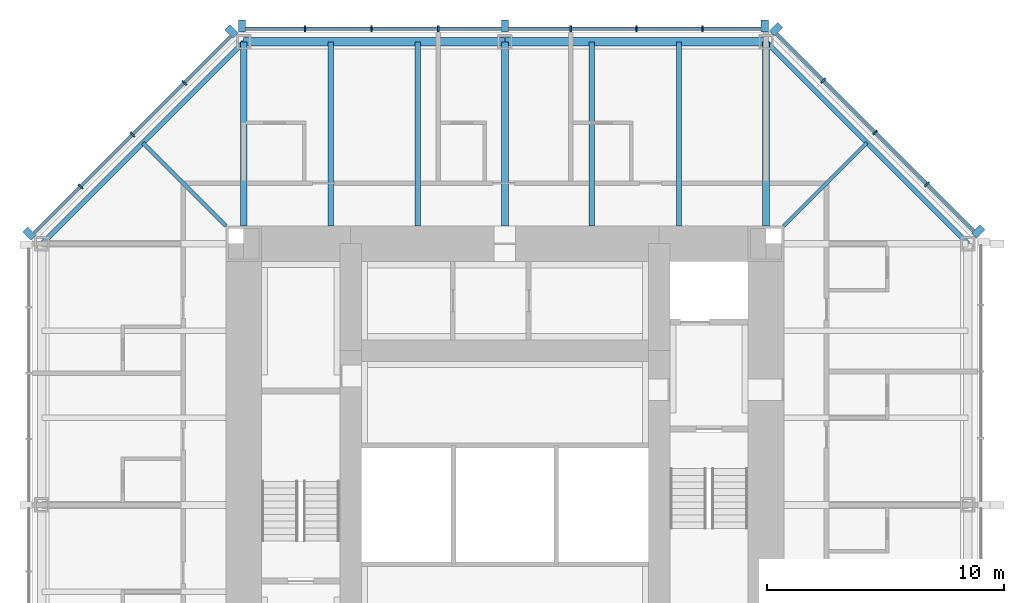
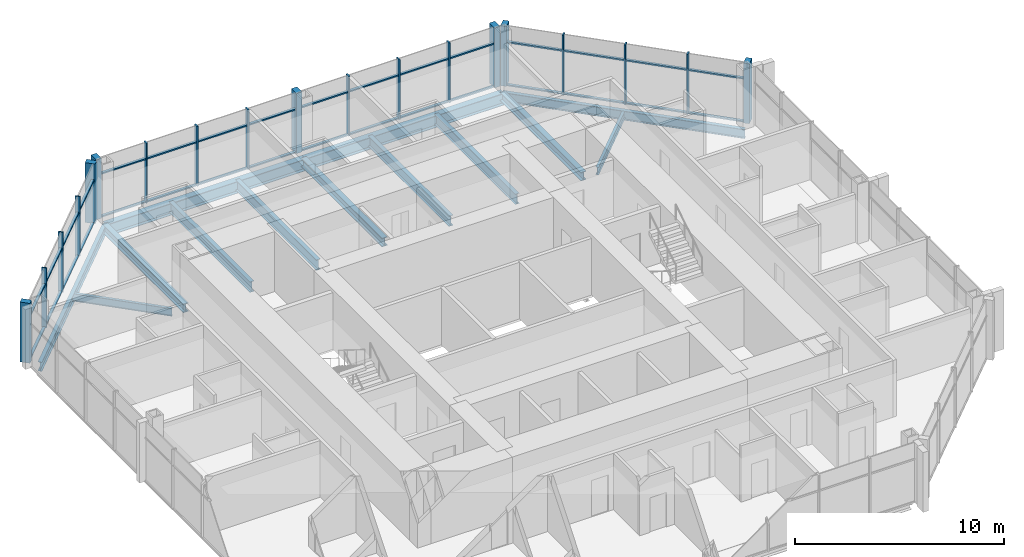
# One storey, part 5 of 12: 51 members, 13 beams, 3 elements without a shape of their own.
"""IFC4 building model written with IfcOpenShell, lengths in metres."""

from ifc_helpers import new_model, si_unit, direction, frame, origin, origin_2d, place, context, subcontext, project, spatial, rectangle, i_section, extrude, material, material_profile, profile_set, type_object, element, aggregate, save


model = new_model("IFC4")

# Units and contexts
model_context = context("Model", 3, precision=1e-05, world=origin(), true_north=direction((0.0, 1.0)))
body_context = subcontext(model_context, "Body", "Model", "MODEL_VIEW")
ifc_project = project(units=[si_unit("LENGTHUNIT", "METRE"), si_unit("AREAUNIT", "SQUARE_METRE"), si_unit("VOLUMEUNIT", "CUBIC_METRE"), si_unit("PLANEANGLEUNIT", "RADIAN"), si_unit("MASSUNIT", "GRAM", prefix="KILO")], contexts=[model_context])

# Site, building, storey
site_placement = place(None, origin())
site = spatial("IfcSite", under=ifc_project, at=site_placement, CompositionType="ELEMENT")
building_placement = place(site_placement, origin())
building = spatial("IfcBuilding", under=site, at=building_placement, Name="Trevanion Tower", CompositionType="ELEMENT")
storey_placement = place(building_placement, frame((0.0, 0.0, 204.699951171875)))
storey = spatial("IfcBuildingStorey", under=building, at=storey_placement, Name="L48", CompositionType="ELEMENT", Elevation=204.699951171875)

# Beams
ifc_material_1 = material(Name="Steel ASTM A992 Grade 50", Category="steel")
ifc_material_profile_1 = material_profile(ifc_material_1, i_section(OverallWidth=0.228271484375, OverallDepth=0.607177734375, WebThickness=0.01123046875, FlangeThickness=0.017333984375, at=origin_2d()), Name="W24X76")
ifc_profile_set_1 = profile_set([ifc_material_profile_1], Name="Steel ASTM A992 Grade 50")
beam_type_1 = type_object("IfcBeamType", Name="B11 W24X76", PredefinedType="BEAM", material=ifc_profile_set_1)
for number, where, z_axis, x_axis, name in (
    (1, (7.333251953125, 11.75, -0.493408203125), (0.0, 1.0, 0.0), (-1.0, 0.0, 0.0), "B11 L48"),
    (2, (3.666748046875, 11.75, -0.493408203125), (0.0, 1.0, 0.0), (-1.0, 0.0, 0.0), "B11 L48"),
    (3, (-3.666748046875, 11.75, -0.493408203125), (0.0, 1.0, 0.0), (-1.0, 0.0, 0.0), "B11 L48"),
    (4, (-7.333251953125, 11.75, -0.493408203125), (0.0, 1.0, 0.0), (-1.0, 0.0, 0.0), "B11 L48"),
):
    element("IfcBeam", number, at=place(storey_placement, frame(where, z_axis=z_axis, x_axis=x_axis)), inside=storey, type_object=beam_type_1, Name=name, PredefinedType="BEAM", context=body_context, shape_type="SweptSolid", body=[
        extrude(i_section(OverallWidth=0.228271484375, OverallDepth=0.607177734375, WebThickness=0.01123046875, FlangeThickness=0.017333984375, at=origin_2d()), origin(), (0.0, 0.0, 1.0), 7.75),
    ])
ifc_material_2 = material(Name="Steel ASTM A992 Grade 50", Category="steel")
ifc_material_profile_2 = material_profile(ifc_material_2, i_section(OverallWidth=0.15234375, OverallDepth=0.449462890625, WebThickness=0.007568359375, FlangeThickness=0.0107421875, at=origin_2d()), Name="W18X35")
ifc_profile_set_2 = profile_set([ifc_material_profile_2], Name="Steel ASTM A992 Grade 50")
beam_type_2 = type_object("IfcBeamType", Name="B12 W18X35", PredefinedType="BEAM", material=ifc_profile_set_2)
for number, where, z_axis, x_axis, name in (
    (5, (11.75, 11.75, -0.414794921875), (0.707106781187, 0.707106781187, 0.0), (-0.707106781187, 0.707106781187, 0.0), "B12 L48"),
    (6, (-11.75, 11.75, -0.414794921875), (-0.707106781187, 0.707106781187, 0.0), (-0.707106781187, -0.707106781187, 0.0), "B12 L48"),
):
    element("IfcBeam", number, at=place(storey_placement, frame(where, z_axis=z_axis, x_axis=x_axis)), inside=storey, type_object=beam_type_2, Name=name, PredefinedType="BEAM", context=body_context, shape_type="SweptSolid", body=[
        extrude(i_section(OverallWidth=0.15234375, OverallDepth=0.449462890625, WebThickness=0.007568359375, FlangeThickness=0.0107421875, at=origin_2d()), origin(), (0.0, 0.0, 1.0), 4.94970703125),
    ])

# Curtain wall, members
ifc_material_3 = material(Name="Aluminium and glass", Category="aluminium")
curtain_wall_type = type_object("IfcCurtainWallType", Name="CW3 curtain wall", PredefinedType="USERDEFINED", material=ifc_material_3)
curtain_wall_1_placement = place(storey_placement, origin())
curtain_wall_1 = element("IfcCurtainWall", 7, at=curtain_wall_1_placement, inside=storey, type_object=curtain_wall_type, Name="CW3 L48 1", ObjectType="UNITISED CURTAIN WALL", PredefinedType="USERDEFINED")
ifc_material_4 = material(Name="Aluminium extrusion, anodised bronze", Category="aluminium")
ifc_material_profile_3 = material_profile(ifc_material_4, rectangle(XDim=0.074951171875, YDim=0.25, at=origin_2d()), Name="CW3 mullion")
ifc_profile_set_3 = profile_set([ifc_material_profile_3], Name="Aluminium extrusion, anodised bronze")
member_type_1 = type_object("IfcMemberType", Name="CW3 mullion", PredefinedType="MULLION", material=ifc_profile_set_3)
member_1_placement = place(storey_placement, frame((17.775390625, 13.502197265625, -0.18994140625), z_axis=(0.0, 0.0, 1.0), x_axis=(-0.707106781187, 0.707106781187, 0.0)))
member_1 = element("IfcMember", 8, at=member_1_placement, type_object=member_type_1, Name="CW3 mullion 2", PredefinedType="MULLION", context=body_context, shape_type="SweptSolid", body=[
    extrude(rectangle(XDim=0.074951171875, YDim=0.25, at=origin_2d()), origin(), (0.0, 0.0, 1.0), 3.5),
])
member_2_placement = place(storey_placement, frame((15.593017578125, 15.684814453125, -0.18994140625), z_axis=(0.0, 0.0, 1.0), x_axis=(-0.707106781187, 0.707106781187, 0.0)))
member_2 = element("IfcMember", 9, at=member_2_placement, type_object=member_type_1, Name="CW3 mullion 3", PredefinedType="MULLION", context=body_context, shape_type="SweptSolid", body=[
    extrude(rectangle(XDim=0.074951171875, YDim=0.25, at=origin_2d()), origin(), (0.0, 0.0, 1.0), 3.5),
])
member_3_placement = place(storey_placement, frame((13.410400390625, 17.867431640625, -0.18994140625), z_axis=(0.0, 0.0, 1.0), x_axis=(-0.707106781187, 0.707106781187, 0.0)))
member_3 = element("IfcMember", 10, at=member_3_placement, type_object=member_type_1, Name="CW3 mullion 4", PredefinedType="MULLION", context=body_context, shape_type="SweptSolid", body=[
    extrude(rectangle(XDim=0.074951171875, YDim=0.25, at=origin_2d()), origin(), (0.0, 0.0, 1.0), 3.5),
])

curtain_wall_2_placement = place(storey_placement, origin())
curtain_wall_2 = element("IfcCurtainWall", 11, at=curtain_wall_2_placement, inside=storey, type_object=curtain_wall_type, Name="CW3 L48 2", ObjectType="UNITISED CURTAIN WALL", PredefinedType="USERDEFINED")
member_4_placement = place(storey_placement, frame((8.323486328125, 20.050048828125, -0.18994140625), z_axis=(0.0, 0.0, 1.0), x_axis=(-1.0, 0.0, 0.0)))
member_4 = element("IfcMember", 12, at=member_4_placement, type_object=member_type_1, Name="CW3 mullion 2", PredefinedType="MULLION", context=body_context, shape_type="SweptSolid", body=[
    extrude(rectangle(XDim=0.074951171875, YDim=0.25, at=origin_2d()), origin(), (0.0, 0.0, 1.0), 3.5),
])
member_5_placement = place(storey_placement, frame((5.548828125, 20.050048828125, -0.18994140625), z_axis=(0.0, 0.0, 1.0), x_axis=(-1.0, 0.0, 0.0)))
member_5 = element("IfcMember", 13, at=member_5_placement, type_object=member_type_1, Name="CW3 mullion 3", PredefinedType="MULLION", context=body_context, shape_type="SweptSolid", body=[
    extrude(rectangle(XDim=0.074951171875, YDim=0.25, at=origin_2d()), origin(), (0.0, 0.0, 1.0), 3.5),
])
member_6_placement = place(storey_placement, frame((2.7744140625, 20.050048828125, -0.18994140625), z_axis=(0.0, 0.0, 1.0), x_axis=(-1.0, 0.0, 0.0)))
member_6 = element("IfcMember", 14, at=member_6_placement, type_object=member_type_1, Name="CW3 mullion 4", PredefinedType="MULLION", context=body_context, shape_type="SweptSolid", body=[
    extrude(rectangle(XDim=0.074951171875, YDim=0.25, at=origin_2d()), origin(), (0.0, 0.0, 1.0), 3.5),
])
member_7_placement = place(storey_placement, frame((-2.806884765625, 20.050048828125, -0.18994140625), z_axis=(0.0, 0.0, 1.0), x_axis=(-1.0, 0.0, 0.0)))
member_7 = element("IfcMember", 15, at=member_7_placement, type_object=member_type_1, Name="CW3 mullion 6", PredefinedType="MULLION", context=body_context, shape_type="SweptSolid", body=[
    extrude(rectangle(XDim=0.074951171875, YDim=0.25, at=origin_2d()), origin(), (0.0, 0.0, 1.0), 3.5),
])
member_8_placement = place(storey_placement, frame((-5.614013671875, 20.050048828125, -0.18994140625), z_axis=(0.0, 0.0, 1.0), x_axis=(-1.0, 0.0, 0.0)))
member_8 = element("IfcMember", 16, at=member_8_placement, type_object=member_type_1, Name="CW3 mullion 7", PredefinedType="MULLION", context=body_context, shape_type="SweptSolid", body=[
    extrude(rectangle(XDim=0.074951171875, YDim=0.25, at=origin_2d()), origin(), (0.0, 0.0, 1.0), 3.5),
])
member_9_placement = place(storey_placement, frame((-8.4208984375, 20.050048828125, -0.18994140625), z_axis=(0.0, 0.0, 1.0), x_axis=(-1.0, 0.0, 0.0)))
member_9 = element("IfcMember", 17, at=member_9_placement, type_object=member_type_1, Name="CW3 mullion 8", PredefinedType="MULLION", context=body_context, shape_type="SweptSolid", body=[
    extrude(rectangle(XDim=0.074951171875, YDim=0.25, at=origin_2d()), origin(), (0.0, 0.0, 1.0), 3.5),
])

curtain_wall_3_placement = place(storey_placement, origin())
curtain_wall_3 = element("IfcCurtainWall", 18, at=curtain_wall_3_placement, inside=storey, type_object=curtain_wall_type, Name="CW3 L48 3", ObjectType="UNITISED CURTAIN WALL", PredefinedType="USERDEFINED")
member_10_placement = place(storey_placement, frame((-13.502197265625, 17.775390625, -0.18994140625), z_axis=(0.0, 0.0, 1.0), x_axis=(-0.707106781187, -0.707106781187, 0.0)))
member_10 = element("IfcMember", 19, at=member_10_placement, type_object=member_type_1, Name="CW3 mullion 2", PredefinedType="MULLION", context=body_context, shape_type="SweptSolid", body=[
    extrude(rectangle(XDim=0.074951171875, YDim=0.25, at=origin_2d()), origin(), (0.0, 0.0, 1.0), 3.5),
])
member_11_placement = place(storey_placement, frame((-15.684814453125, 15.593017578125, -0.18994140625), z_axis=(0.0, 0.0, 1.0), x_axis=(-0.707106781187, -0.707106781187, 0.0)))
member_11 = element("IfcMember", 20, at=member_11_placement, type_object=member_type_1, Name="CW3 mullion 3", PredefinedType="MULLION", context=body_context, shape_type="SweptSolid", body=[
    extrude(rectangle(XDim=0.074951171875, YDim=0.25, at=origin_2d()), origin(), (0.0, 0.0, 1.0), 3.5),
])
member_12_placement = place(storey_placement, frame((-17.867431640625, 13.410400390625, -0.18994140625), z_axis=(0.0, 0.0, 1.0), x_axis=(-0.707106781187, -0.707106781187, 0.0)))
member_12 = element("IfcMember", 21, at=member_12_placement, type_object=member_type_1, Name="CW3 mullion 4", PredefinedType="MULLION", context=body_context, shape_type="SweptSolid", body=[
    extrude(rectangle(XDim=0.074951171875, YDim=0.25, at=origin_2d()), origin(), (0.0, 0.0, 1.0), 3.5),
])

# Member
ifc_material_5 = material(Name="Aluminium extrusion, anodised bronze", Category="aluminium")
ifc_material_profile_4 = material_profile(ifc_material_5, rectangle(XDim=0.300048828125, YDim=0.5, at=origin_2d()), Name="CW3 pier mullion")
ifc_profile_set_4 = profile_set([ifc_material_profile_4], Name="Aluminium extrusion, anodised bronze")
member_type_2 = type_object("IfcMemberType", Name="CW3 pier mullion", PredefinedType="MULLION", material=ifc_profile_set_4)
member_13_placement = place(storey_placement, frame((19.9404296875, 11.51416015625, -0.18994140625), z_axis=(0.0, 0.0, 1.0), x_axis=(-0.707106781187, 0.707106781187, 0.0)))
member_13 = element("IfcMember", 22, at=member_13_placement, type_object=member_type_2, Name="CW3 pier mullion 1", PredefinedType="MULLION", context=body_context, shape_type="SweptSolid", body=[
    extrude(rectangle(XDim=0.300048828125, YDim=0.5, at=origin_2d()), origin(), (0.0, 0.0, 1.0), 3.5),
])

member_14_placement = place(storey_placement, frame((11.42236328125, 20.0322265625, -0.18994140625), z_axis=(0.0, 0.0, 1.0), x_axis=(-0.707106781187, 0.707106781187, 0.0)))
member_14 = element("IfcMember", 23, at=member_14_placement, type_object=member_type_2, Name="CW3 pier mullion 5", PredefinedType="MULLION", context=body_context, shape_type="SweptSolid", body=[
    extrude(rectangle(XDim=0.300048828125, YDim=0.5, at=origin_2d()), origin(), (0.0, 0.0, 1.0), 3.5),
])

member_15_placement = place(storey_placement, frame((10.94775390625, 20.175048828125, -0.18994140625), z_axis=(0.0, 0.0, 1.0), x_axis=(-1.0, 0.0, 0.0)))
member_15 = element("IfcMember", 24, at=member_15_placement, type_object=member_type_2, Name="CW3 pier mullion 1", PredefinedType="MULLION", context=body_context, shape_type="SweptSolid", body=[
    extrude(rectangle(XDim=0.300048828125, YDim=0.5, at=origin_2d()), origin(), (0.0, 0.0, 1.0), 3.5),
])

member_16_placement = place(storey_placement, frame((0.0, 20.175048828125, -0.18994140625), z_axis=(0.0, 0.0, 1.0), x_axis=(-1.0, 0.0, 0.0)))
member_16 = element("IfcMember", 25, at=member_16_placement, type_object=member_type_2, Name="CW3 pier mullion 5", PredefinedType="MULLION", context=body_context, shape_type="SweptSolid", body=[
    extrude(rectangle(XDim=0.300048828125, YDim=0.5, at=origin_2d()), origin(), (0.0, 0.0, 1.0), 3.5),
])

member_17_placement = place(storey_placement, frame((-11.077880859375, 20.175048828125, -0.18994140625), z_axis=(0.0, 0.0, 1.0), x_axis=(-1.0, 0.0, 0.0)))
member_17 = element("IfcMember", 26, at=member_17_placement, type_object=member_type_2, Name="CW3 pier mullion 9", PredefinedType="MULLION", context=body_context, shape_type="SweptSolid", body=[
    extrude(rectangle(XDim=0.300048828125, YDim=0.5, at=origin_2d()), origin(), (0.0, 0.0, 1.0), 3.5),
])

member_18_placement = place(storey_placement, frame((-11.51416015625, 19.9404296875, -0.18994140625), z_axis=(0.0, 0.0, 1.0), x_axis=(-0.707106781187, -0.707106781187, 0.0)))
member_18 = element("IfcMember", 27, at=member_18_placement, type_object=member_type_2, Name="CW3 pier mullion 1", PredefinedType="MULLION", context=body_context, shape_type="SweptSolid", body=[
    extrude(rectangle(XDim=0.300048828125, YDim=0.5, at=origin_2d()), origin(), (0.0, 0.0, 1.0), 3.5),
])

member_19_placement = place(storey_placement, frame((-20.0322265625, 11.42236328125, -0.18994140625), z_axis=(0.0, 0.0, 1.0), x_axis=(-0.707106781187, -0.707106781187, 0.0)))
member_19 = element("IfcMember", 28, at=member_19_placement, type_object=member_type_2, Name="CW3 pier mullion 5", PredefinedType="MULLION", context=body_context, shape_type="SweptSolid", body=[
    extrude(rectangle(XDim=0.300048828125, YDim=0.5, at=origin_2d()), origin(), (0.0, 0.0, 1.0), 3.5),
])

ifc_material_6 = material(Name="Aluminium extrusion, anodised bronze", Category="aluminium")
ifc_material_profile_5 = material_profile(ifc_material_6, rectangle(XDim=0.14990234375, YDim=0.074951171875, at=origin_2d()), Name="CW3 transom")
ifc_profile_set_5 = profile_set([ifc_material_profile_5], Name="Aluminium extrusion, anodised bronze")
member_type_3 = type_object("IfcMemberType", Name="CW3 transom", PredefinedType="USERDEFINED", material=ifc_profile_set_5)
member_20_placement = place(storey_placement, frame((19.745849609375, 11.531982421875, -0.15234375), z_axis=(-0.707106781187, 0.707106781187, 0.0), x_axis=(-0.707106781187, -0.707106781187, 0.0)))
member_20 = element("IfcMember", 29, at=member_20_placement, type_object=member_type_3, Name="CW3 transom 1.1", ObjectType="TRANSOM", PredefinedType="USERDEFINED", context=body_context, shape_type="SweptSolid", body=[
    extrude(rectangle(XDim=0.14990234375, YDim=0.074951171875, at=origin_2d()), origin(), (0.0, 0.0, 1.0), 2.7490234375),
])

member_21_placement = place(storey_placement, frame((19.745849609375, 11.531982421875, 2.360107421875), z_axis=(-0.707106781187, 0.707106781187, 0.0), x_axis=(-0.707106781187, -0.707106781187, 0.0)))
member_21 = element("IfcMember", 30, at=member_21_placement, type_object=member_type_3, Name="CW3 transom 1.2", ObjectType="TRANSOM", PredefinedType="USERDEFINED", context=body_context, shape_type="SweptSolid", body=[
    extrude(rectangle(XDim=0.14990234375, YDim=0.074951171875, at=origin_2d()), origin(), (0.0, 0.0, 1.0), 2.7490234375),
])

member_22_placement = place(storey_placement, frame((17.7490234375, 13.52880859375, -0.15234375), z_axis=(-0.707106781187, 0.707106781187, 0.0), x_axis=(-0.707106781187, -0.707106781187, 0.0)))
member_22 = element("IfcMember", 31, at=member_22_placement, type_object=member_type_3, Name="CW3 transom 2.1", ObjectType="TRANSOM", PredefinedType="USERDEFINED", context=body_context, shape_type="SweptSolid", body=[
    extrude(rectangle(XDim=0.14990234375, YDim=0.074951171875, at=origin_2d()), origin(), (0.0, 0.0, 1.0), 3.01171875),
])

member_23_placement = place(storey_placement, frame((17.7490234375, 13.52880859375, 2.360107421875), z_axis=(-0.707106781187, 0.707106781187, 0.0), x_axis=(-0.707106781187, -0.707106781187, 0.0)))
member_23 = element("IfcMember", 32, at=member_23_placement, type_object=member_type_3, Name="CW3 transom 2.2", ObjectType="TRANSOM", PredefinedType="USERDEFINED", context=body_context, shape_type="SweptSolid", body=[
    extrude(rectangle(XDim=0.14990234375, YDim=0.074951171875, at=origin_2d()), origin(), (0.0, 0.0, 1.0), 3.01171875),
])

member_24_placement = place(storey_placement, frame((15.56640625, 15.71142578125, -0.15234375), z_axis=(-0.707106781187, 0.707106781187, 0.0), x_axis=(-0.707106781187, -0.707106781187, 0.0)))
member_24 = element("IfcMember", 33, at=member_24_placement, type_object=member_type_3, Name="CW3 transom 3.1", ObjectType="TRANSOM", PredefinedType="USERDEFINED", context=body_context, shape_type="SweptSolid", body=[
    extrude(rectangle(XDim=0.14990234375, YDim=0.074951171875, at=origin_2d()), origin(), (0.0, 0.0, 1.0), 3.011474609375),
])

member_25_placement = place(storey_placement, frame((15.56640625, 15.71142578125, 2.360107421875), z_axis=(-0.707106781187, 0.707106781187, 0.0), x_axis=(-0.707106781187, -0.707106781187, 0.0)))
member_25 = element("IfcMember", 34, at=member_25_placement, type_object=member_type_3, Name="CW3 transom 3.2", ObjectType="TRANSOM", PredefinedType="USERDEFINED", context=body_context, shape_type="SweptSolid", body=[
    extrude(rectangle(XDim=0.14990234375, YDim=0.074951171875, at=origin_2d()), origin(), (0.0, 0.0, 1.0), 3.011474609375),
])

member_26_placement = place(storey_placement, frame((13.3837890625, 17.89404296875, -0.15234375), z_axis=(-0.707106781187, 0.707106781187, 0.0), x_axis=(-0.707106781187, -0.707106781187, 0.0)))
member_26 = element("IfcMember", 35, at=member_26_placement, type_object=member_type_3, Name="CW3 transom 4.1", ObjectType="TRANSOM", PredefinedType="USERDEFINED", context=body_context, shape_type="SweptSolid", body=[
    extrude(rectangle(XDim=0.14990234375, YDim=0.074951171875, at=origin_2d()), origin(), (0.0, 0.0, 1.0), 2.7490234375),
])

member_27_placement = place(storey_placement, frame((13.3837890625, 17.89404296875, 2.360107421875), z_axis=(-0.707106781187, 0.707106781187, 0.0), x_axis=(-0.707106781187, -0.707106781187, 0.0)))
member_27 = element("IfcMember", 36, at=member_27_placement, type_object=member_type_3, Name="CW3 transom 4.2", ObjectType="TRANSOM", PredefinedType="USERDEFINED", context=body_context, shape_type="SweptSolid", body=[
    extrude(rectangle(XDim=0.14990234375, YDim=0.074951171875, at=origin_2d()), origin(), (0.0, 0.0, 1.0), 2.7490234375),
])

aggregate(curtain_wall_1, [member_13, member_1, member_2, member_3, member_14, member_20, member_21, member_22, member_23, member_24, member_25, member_26, member_27])

member_28_placement = place(storey_placement, frame((10.7978515625, 20.050048828125, -0.15234375), z_axis=(-1.0, 0.0, 0.0), x_axis=(0.0, -1.0, 0.0)))
member_28 = element("IfcMember", 37, at=member_28_placement, type_object=member_type_3, Name="CW3 transom 1.1", ObjectType="TRANSOM", PredefinedType="USERDEFINED", context=body_context, shape_type="SweptSolid", body=[
    extrude(rectangle(XDim=0.14990234375, YDim=0.074951171875, at=origin_2d()), origin(), (0.0, 0.0, 1.0), 2.43701171875),
])

member_29_placement = place(storey_placement, frame((10.7978515625, 20.050048828125, 2.360107421875), z_axis=(-1.0, 0.0, 0.0), x_axis=(0.0, -1.0, 0.0)))
member_29 = element("IfcMember", 38, at=member_29_placement, type_object=member_type_3, Name="CW3 transom 1.2", ObjectType="TRANSOM", PredefinedType="USERDEFINED", context=body_context, shape_type="SweptSolid", body=[
    extrude(rectangle(XDim=0.14990234375, YDim=0.074951171875, at=origin_2d()), origin(), (0.0, 0.0, 1.0), 2.43701171875),
])

member_30_placement = place(storey_placement, frame((8.285888671875, 20.050048828125, -0.15234375), z_axis=(-1.0, 0.0, 0.0), x_axis=(0.0, -1.0, 0.0)))
member_30 = element("IfcMember", 39, at=member_30_placement, type_object=member_type_3, Name="CW3 transom 2.1", ObjectType="TRANSOM", PredefinedType="USERDEFINED", context=body_context, shape_type="SweptSolid", body=[
    extrude(rectangle(XDim=0.14990234375, YDim=0.074951171875, at=origin_2d()), origin(), (0.0, 0.0, 1.0), 2.699462890625),
])

member_31_placement = place(storey_placement, frame((8.285888671875, 20.050048828125, 2.360107421875), z_axis=(-1.0, 0.0, 0.0), x_axis=(0.0, -1.0, 0.0)))
member_31 = element("IfcMember", 40, at=member_31_placement, type_object=member_type_3, Name="CW3 transom 2.2", ObjectType="TRANSOM", PredefinedType="USERDEFINED", context=body_context, shape_type="SweptSolid", body=[
    extrude(rectangle(XDim=0.14990234375, YDim=0.074951171875, at=origin_2d()), origin(), (0.0, 0.0, 1.0), 2.699462890625),
])

member_32_placement = place(storey_placement, frame((5.511474609375, 20.050048828125, -0.15234375), z_axis=(-1.0, 0.0, 0.0), x_axis=(0.0, -1.0, 0.0)))
member_32 = element("IfcMember", 41, at=member_32_placement, type_object=member_type_3, Name="CW3 transom 3.1", ObjectType="TRANSOM", PredefinedType="USERDEFINED", context=body_context, shape_type="SweptSolid", body=[
    extrude(rectangle(XDim=0.14990234375, YDim=0.074951171875, at=origin_2d()), origin(), (0.0, 0.0, 1.0), 2.699462890625),
])

member_33_placement = place(storey_placement, frame((5.511474609375, 20.050048828125, 2.360107421875), z_axis=(-1.0, 0.0, 0.0), x_axis=(0.0, -1.0, 0.0)))
member_33 = element("IfcMember", 42, at=member_33_placement, type_object=member_type_3, Name="CW3 transom 3.2", ObjectType="TRANSOM", PredefinedType="USERDEFINED", context=body_context, shape_type="SweptSolid", body=[
    extrude(rectangle(XDim=0.14990234375, YDim=0.074951171875, at=origin_2d()), origin(), (0.0, 0.0, 1.0), 2.699462890625),
])

member_34_placement = place(storey_placement, frame((2.737060546875, 20.050048828125, -0.15234375), z_axis=(-1.0, 0.0, 0.0), x_axis=(0.0, -1.0, 0.0)))
member_34 = element("IfcMember", 43, at=member_34_placement, type_object=member_type_3, Name="CW3 transom 4.1", ObjectType="TRANSOM", PredefinedType="USERDEFINED", context=body_context, shape_type="SweptSolid", body=[
    extrude(rectangle(XDim=0.14990234375, YDim=0.074951171875, at=origin_2d()), origin(), (0.0, 0.0, 1.0), 2.587158203125),
])

member_35_placement = place(storey_placement, frame((2.737060546875, 20.050048828125, 2.360107421875), z_axis=(-1.0, 0.0, 0.0), x_axis=(0.0, -1.0, 0.0)))
member_35 = element("IfcMember", 44, at=member_35_placement, type_object=member_type_3, Name="CW3 transom 4.2", ObjectType="TRANSOM", PredefinedType="USERDEFINED", context=body_context, shape_type="SweptSolid", body=[
    extrude(rectangle(XDim=0.14990234375, YDim=0.074951171875, at=origin_2d()), origin(), (0.0, 0.0, 1.0), 2.587158203125),
])

member_36_placement = place(storey_placement, frame((-0.14990234375, 20.050048828125, -0.15234375), z_axis=(-1.0, 0.0, 0.0), x_axis=(0.0, -1.0, 0.0)))
member_36 = element("IfcMember", 45, at=member_36_placement, type_object=member_type_3, Name="CW3 transom 5.1", ObjectType="TRANSOM", PredefinedType="USERDEFINED", context=body_context, shape_type="SweptSolid", body=[
    extrude(rectangle(XDim=0.14990234375, YDim=0.074951171875, at=origin_2d()), origin(), (0.0, 0.0, 1.0), 2.619384765625),
])

member_37_placement = place(storey_placement, frame((-0.14990234375, 20.050048828125, 2.360107421875), z_axis=(-1.0, 0.0, 0.0), x_axis=(0.0, -1.0, 0.0)))
member_37 = element("IfcMember", 46, at=member_37_placement, type_object=member_type_3, Name="CW3 transom 5.2", ObjectType="TRANSOM", PredefinedType="USERDEFINED", context=body_context, shape_type="SweptSolid", body=[
    extrude(rectangle(XDim=0.14990234375, YDim=0.074951171875, at=origin_2d()), origin(), (0.0, 0.0, 1.0), 2.619384765625),
])

member_38_placement = place(storey_placement, frame((-2.844482421875, 20.050048828125, -0.15234375), z_axis=(-1.0, 0.0, 0.0), x_axis=(0.0, -1.0, 0.0)))
member_38 = element("IfcMember", 47, at=member_38_placement, type_object=member_type_3, Name="CW3 transom 6.1", ObjectType="TRANSOM", PredefinedType="USERDEFINED", context=body_context, shape_type="SweptSolid", body=[
    extrude(rectangle(XDim=0.14990234375, YDim=0.074951171875, at=origin_2d()), origin(), (0.0, 0.0, 1.0), 2.73193359375),
])

member_39_placement = place(storey_placement, frame((-2.844482421875, 20.050048828125, 2.360107421875), z_axis=(-1.0, 0.0, 0.0), x_axis=(0.0, -1.0, 0.0)))
member_39 = element("IfcMember", 48, at=member_39_placement, type_object=member_type_3, Name="CW3 transom 6.2", ObjectType="TRANSOM", PredefinedType="USERDEFINED", context=body_context, shape_type="SweptSolid", body=[
    extrude(rectangle(XDim=0.14990234375, YDim=0.074951171875, at=origin_2d()), origin(), (0.0, 0.0, 1.0), 2.73193359375),
])

member_40_placement = place(storey_placement, frame((-5.6513671875, 20.050048828125, -0.15234375), z_axis=(-1.0, 0.0, 0.0), x_axis=(0.0, -1.0, 0.0)))
member_40 = element("IfcMember", 49, at=member_40_placement, type_object=member_type_3, Name="CW3 transom 7.1", ObjectType="TRANSOM", PredefinedType="USERDEFINED", context=body_context, shape_type="SweptSolid", body=[
    extrude(rectangle(XDim=0.14990234375, YDim=0.074951171875, at=origin_2d()), origin(), (0.0, 0.0, 1.0), 2.73193359375),
])

member_41_placement = place(storey_placement, frame((-5.6513671875, 20.050048828125, 2.360107421875), z_axis=(-1.0, 0.0, 0.0), x_axis=(0.0, -1.0, 0.0)))
member_41 = element("IfcMember", 50, at=member_41_placement, type_object=member_type_3, Name="CW3 transom 7.2", ObjectType="TRANSOM", PredefinedType="USERDEFINED", context=body_context, shape_type="SweptSolid", body=[
    extrude(rectangle(XDim=0.14990234375, YDim=0.074951171875, at=origin_2d()), origin(), (0.0, 0.0, 1.0), 2.73193359375),
])

member_42_placement = place(storey_placement, frame((-8.45849609375, 20.050048828125, -0.15234375), z_axis=(-1.0, 0.0, 0.0), x_axis=(0.0, -1.0, 0.0)))
member_42 = element("IfcMember", 51, at=member_42_placement, type_object=member_type_3, Name="CW3 transom 8.1", ObjectType="TRANSOM", PredefinedType="USERDEFINED", context=body_context, shape_type="SweptSolid", body=[
    extrude(rectangle(XDim=0.14990234375, YDim=0.074951171875, at=origin_2d()), origin(), (0.0, 0.0, 1.0), 2.46923828125),
])

member_43_placement = place(storey_placement, frame((-8.45849609375, 20.050048828125, 2.360107421875), z_axis=(-1.0, 0.0, 0.0), x_axis=(0.0, -1.0, 0.0)))
member_43 = element("IfcMember", 52, at=member_43_placement, type_object=member_type_3, Name="CW3 transom 8.2", ObjectType="TRANSOM", PredefinedType="USERDEFINED", context=body_context, shape_type="SweptSolid", body=[
    extrude(rectangle(XDim=0.14990234375, YDim=0.074951171875, at=origin_2d()), origin(), (0.0, 0.0, 1.0), 2.46923828125),
])

aggregate(curtain_wall_2, [member_15, member_4, member_5, member_6, member_16, member_7, member_8, member_9, member_17, member_28, member_29, member_30, member_31, member_32, member_33, member_34, member_35, member_36, member_37, member_38, member_39, member_40, member_41, member_42, member_43])

member_44_placement = place(storey_placement, frame((-11.531982421875, 19.745849609375, -0.15234375), z_axis=(-0.707106781187, -0.707106781187, 0.0), x_axis=(0.707106781187, -0.707106781187, 0.0)))
member_44 = element("IfcMember", 53, at=member_44_placement, type_object=member_type_3, Name="CW3 transom 1.1", ObjectType="TRANSOM", PredefinedType="USERDEFINED", context=body_context, shape_type="SweptSolid", body=[
    extrude(rectangle(XDim=0.14990234375, YDim=0.074951171875, at=origin_2d()), origin(), (0.0, 0.0, 1.0), 2.7490234375),
])

member_45_placement = place(storey_placement, frame((-11.531982421875, 19.745849609375, 2.360107421875), z_axis=(-0.707106781187, -0.707106781187, 0.0), x_axis=(0.707106781187, -0.707106781187, 0.0)))
member_45 = element("IfcMember", 54, at=member_45_placement, type_object=member_type_3, Name="CW3 transom 1.2", ObjectType="TRANSOM", PredefinedType="USERDEFINED", context=body_context, shape_type="SweptSolid", body=[
    extrude(rectangle(XDim=0.14990234375, YDim=0.074951171875, at=origin_2d()), origin(), (0.0, 0.0, 1.0), 2.7490234375),
])

member_46_placement = place(storey_placement, frame((-13.52880859375, 17.7490234375, -0.15234375), z_axis=(-0.707106781187, -0.707106781187, 0.0), x_axis=(0.707106781187, -0.707106781187, 0.0)))
member_46 = element("IfcMember", 55, at=member_46_placement, type_object=member_type_3, Name="CW3 transom 2.1", ObjectType="TRANSOM", PredefinedType="USERDEFINED", context=body_context, shape_type="SweptSolid", body=[
    extrude(rectangle(XDim=0.14990234375, YDim=0.074951171875, at=origin_2d()), origin(), (0.0, 0.0, 1.0), 3.01171875),
])

member_47_placement = place(storey_placement, frame((-13.52880859375, 17.7490234375, 2.360107421875), z_axis=(-0.707106781187, -0.707106781187, 0.0), x_axis=(0.707106781187, -0.707106781187, 0.0)))
member_47 = element("IfcMember", 56, at=member_47_placement, type_object=member_type_3, Name="CW3 transom 2.2", ObjectType="TRANSOM", PredefinedType="USERDEFINED", context=body_context, shape_type="SweptSolid", body=[
    extrude(rectangle(XDim=0.14990234375, YDim=0.074951171875, at=origin_2d()), origin(), (0.0, 0.0, 1.0), 3.01171875),
])

member_48_placement = place(storey_placement, frame((-15.71142578125, 15.56640625, -0.15234375), z_axis=(-0.707106781187, -0.707106781187, 0.0), x_axis=(0.707106781187, -0.707106781187, 0.0)))
member_48 = element("IfcMember", 57, at=member_48_placement, type_object=member_type_3, Name="CW3 transom 3.1", ObjectType="TRANSOM", PredefinedType="USERDEFINED", context=body_context, shape_type="SweptSolid", body=[
    extrude(rectangle(XDim=0.14990234375, YDim=0.074951171875, at=origin_2d()), origin(), (0.0, 0.0, 1.0), 3.011474609375),
])

member_49_placement = place(storey_placement, frame((-15.71142578125, 15.56640625, 2.360107421875), z_axis=(-0.707106781187, -0.707106781187, 0.0), x_axis=(0.707106781187, -0.707106781187, 0.0)))
member_49 = element("IfcMember", 58, at=member_49_placement, type_object=member_type_3, Name="CW3 transom 3.2", ObjectType="TRANSOM", PredefinedType="USERDEFINED", context=body_context, shape_type="SweptSolid", body=[
    extrude(rectangle(XDim=0.14990234375, YDim=0.074951171875, at=origin_2d()), origin(), (0.0, 0.0, 1.0), 3.011474609375),
])

member_50_placement = place(storey_placement, frame((-17.89404296875, 13.3837890625, -0.15234375), z_axis=(-0.707106781187, -0.707106781187, 0.0), x_axis=(0.707106781187, -0.707106781187, 0.0)))
member_50 = element("IfcMember", 59, at=member_50_placement, type_object=member_type_3, Name="CW3 transom 4.1", ObjectType="TRANSOM", PredefinedType="USERDEFINED", context=body_context, shape_type="SweptSolid", body=[
    extrude(rectangle(XDim=0.14990234375, YDim=0.074951171875, at=origin_2d()), origin(), (0.0, 0.0, 1.0), 2.7490234375),
])

member_51_placement = place(storey_placement, frame((-17.89404296875, 13.3837890625, 2.360107421875), z_axis=(-0.707106781187, -0.707106781187, 0.0), x_axis=(0.707106781187, -0.707106781187, 0.0)))
member_51 = element("IfcMember", 60, at=member_51_placement, type_object=member_type_3, Name="CW3 transom 4.2", ObjectType="TRANSOM", PredefinedType="USERDEFINED", context=body_context, shape_type="SweptSolid", body=[
    extrude(rectangle(XDim=0.14990234375, YDim=0.074951171875, at=origin_2d()), origin(), (0.0, 0.0, 1.0), 2.7490234375),
])

aggregate(curtain_wall_3, [member_18, member_10, member_11, member_12, member_19, member_44, member_45, member_46, member_47, member_48, member_49, member_50, member_51])

# Beams
ifc_material_7 = material(Name="Steel ASTM A992 Grade 50", Category="steel")
ifc_material_profile_6 = material_profile(ifc_material_7, i_section(OverallWidth=0.28955078125, OverallDepth=0.508056640625, WebThickness=0.022705078125, FlangeThickness=0.040283203125, at=origin_2d()), Name="W18X175")
ifc_profile_set_6 = profile_set([ifc_material_profile_6], Name="Steel ASTM A992 Grade 50")
beam_type_3 = type_object("IfcBeamType", Name="G6 W18X175", PredefinedType="BEAM", material=ifc_profile_set_6)
for number, where, z_axis, x_axis, name in (
    (61, (11.0, 11.75, -0.44384765625), (0.0, 1.0, 0.0), (-1.0, 0.0, 0.0), "G6 L48"),
    (62, (0.0, 11.75, -0.44384765625), (0.0, 1.0, 0.0), (-1.0, 0.0, 0.0), "G6 L48"),
    (63, (-11.0, 11.75, -0.44384765625), (0.0, 1.0, 0.0), (-1.0, 0.0, 0.0), "G6 L48"),
):
    element("IfcBeam", number, at=place(storey_placement, frame(where, z_axis=z_axis, x_axis=x_axis)), inside=storey, type_object=beam_type_3, Name=name, PredefinedType="BEAM", context=body_context, shape_type="SweptSolid", body=[
        extrude(i_section(OverallWidth=0.28955078125, OverallDepth=0.508056640625, WebThickness=0.022705078125, FlangeThickness=0.040283203125, at=origin_2d()), origin(), (0.0, 0.0, 1.0), 7.75),
    ])
ifc_material_8 = material(Name="Steel ASTM A992 Grade 50", Category="steel")
ifc_material_profile_7 = material_profile(ifc_material_8, i_section(OverallWidth=0.355712890625, OverallDepth=0.696044921875, WebThickness=0.015380859375, FlangeThickness=0.024658203125, at=origin_2d()), Name="W27X146")
ifc_profile_set_7 = profile_set([ifc_material_profile_7], Name="Steel ASTM A992 Grade 50")
beam_type_4 = type_object("IfcBeamType", Name="SB8 W27X146", PredefinedType="SPANDREL", material=ifc_profile_set_7)
for number, where, z_axis, x_axis, name in (
    (64, (11.0, 19.5, -0.537841796875), (-1.0, 0.0, 0.0), (0.0, -1.0, 0.0), "SB8 L48"),
    (65, (0.0, 19.5, -0.537841796875), (-1.0, 0.0, 0.0), (0.0, -1.0, 0.0), "SB8 L48"),
):
    element("IfcBeam", number, at=place(storey_placement, frame(where, z_axis=z_axis, x_axis=x_axis)), inside=storey, type_object=beam_type_4, Name=name, PredefinedType="SPANDREL", context=body_context, shape_type="SweptSolid", body=[
        extrude(i_section(OverallWidth=0.355712890625, OverallDepth=0.696044921875, WebThickness=0.015380859375, FlangeThickness=0.024658203125, at=origin_2d()), origin(), (0.0, 0.0, 1.0), 11.0),
    ])
ifc_material_9 = material(Name="Steel ASTM A992 Grade 50", Category="steel")
ifc_material_profile_8 = material_profile(ifc_material_9, i_section(OverallWidth=0.209228515625, OverallDepth=0.533447265625, WebThickness=0.01025390625, FlangeThickness=0.015625, at=origin_2d()), Name="W21X62")
ifc_profile_set_8 = profile_set([ifc_material_profile_8], Name="Steel ASTM A992 Grade 50")
beam_type_5 = type_object("IfcBeamType", Name="SB9 W21X62", PredefinedType="SPANDREL", material=ifc_profile_set_8)
for number, where, z_axis, x_axis, name in (
    (66, (19.5, 11.0, -0.45654296875), (-0.707106781187, 0.707106781187, 0.0), (-0.707106781187, -0.707106781187, 0.0), "SB9 L48"),
    (67, (-11.0, 19.5, -0.45654296875), (-0.707106781187, -0.707106781187, 0.0), (0.707106781187, -0.707106781187, 0.0), "SB9 L48"),
):
    element("IfcBeam", number, at=place(storey_placement, frame(where, z_axis=z_axis, x_axis=x_axis)), inside=storey, type_object=beam_type_5, Name=name, PredefinedType="SPANDREL", context=body_context, shape_type="SweptSolid", body=[
        extrude(i_section(OverallWidth=0.209228515625, OverallDepth=0.533447265625, WebThickness=0.01025390625, FlangeThickness=0.015625, at=origin_2d()), origin(), (0.0, 0.0, 1.0), 12.020751953125),
    ])

save(model, "model.ifc")
